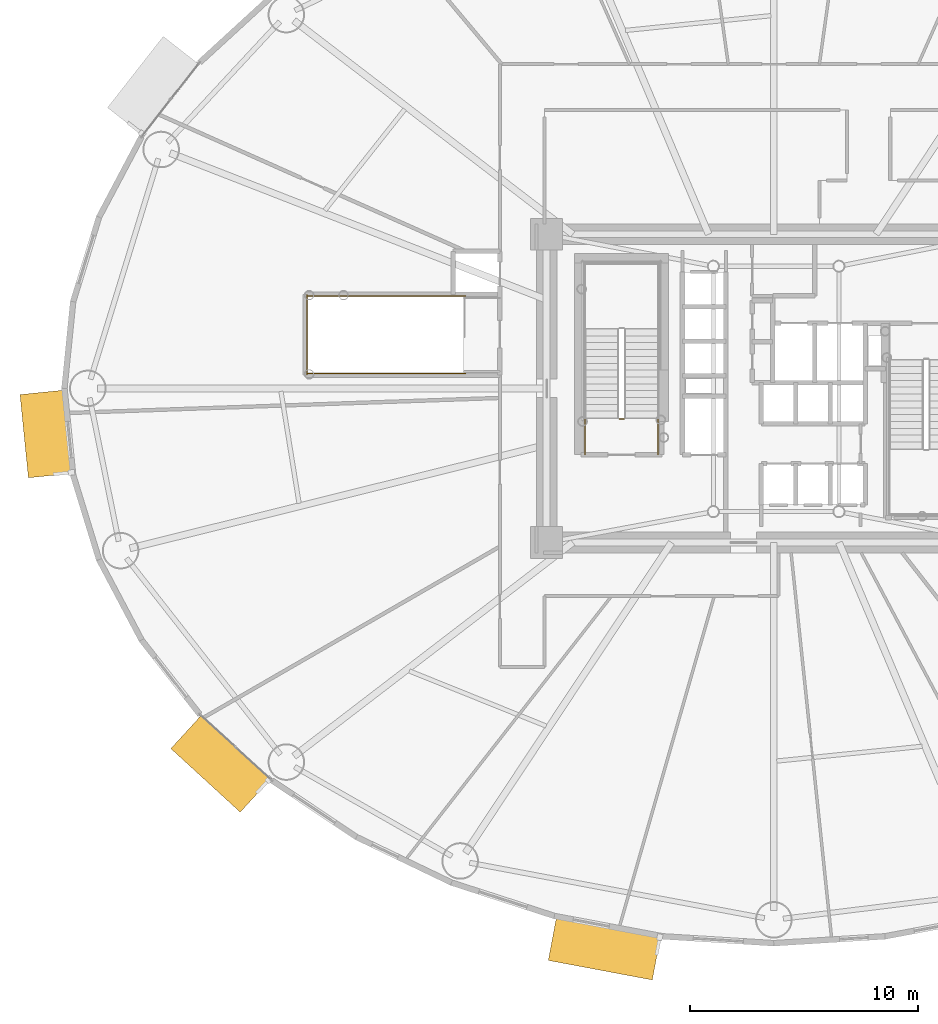
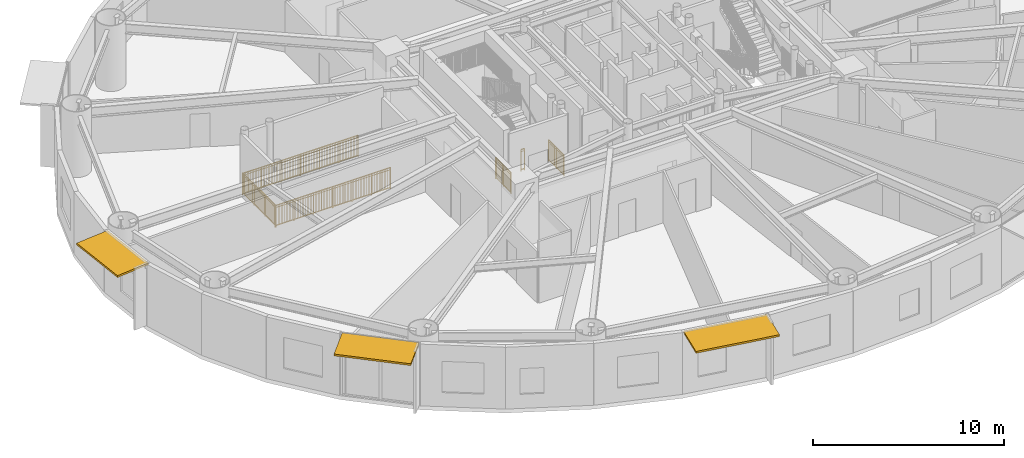
# One storey, part 21 of 28: 6 railings, 3 shading devices.
"""IFC4 building model written with IfcOpenShell, lengths in metres."""

from ifc_helpers import new_model, si_unit, direction, frame, origin, origin_2d, place, context, subcontext, project, spatial, rectangle, extrude, source, transform, mapped, material, layer, layer_set, type_object, element, save


model = new_model("IFC4")

# Units and contexts
model_context = context("Model", 3, precision=1e-05, world=origin(), true_north=direction((0.0, 1.0)))
body_context = subcontext(model_context, "Body", "Model", "MODEL_VIEW")
ifc_project = project(units=[si_unit("LENGTHUNIT", "METRE"), si_unit("AREAUNIT", "SQUARE_METRE"), si_unit("VOLUMEUNIT", "CUBIC_METRE"), si_unit("PLANEANGLEUNIT", "RADIAN"), si_unit("MASSUNIT", "GRAM", prefix="KILO")], contexts=[model_context])

# Site, building, storey
site_placement = place(None, origin())
site = spatial("IfcSite", under=ifc_project, at=site_placement, CompositionType="ELEMENT")
building_placement = place(site_placement, origin())
building = spatial("IfcBuilding", under=site, at=building_placement, Name="Linh Dai School and Residence Tower", CompositionType="ELEMENT")
storey_placement = place(building_placement, frame((0.0, 0.0, 57.60009765625)))
storey = spatial("IfcBuildingStorey", under=building, at=storey_placement, Name="L13", CompositionType="ELEMENT", Elevation=57.60009765625)

# Shading devices
ifc_material_1 = material(Name="Terracotta Ceramic Sunshade", Category="masonry")
ifc_layer = layer(ifc_material_1, 0.1201171875)
ifc_layer_set = layer_set([ifc_layer], Name="Terracotta Ceramic Sunshade")
shading_device_type = type_object("IfcShadingDeviceType", Name="SHD-TC-2000", PredefinedType="USERDEFINED", material=ifc_layer_set)
shared_shape_1 = source(origin(), body_context, "Body", "SweptSolid", [
    extrude(rectangle(XDim=3.663330078125, YDim=2.0, at=origin_2d()), origin(), (0.0, 0.0, 1.0), 0.1201171875),
])
shading_device_1_placement = place(storey_placement, frame((4.16064453125, 25.005615234375, 3.809814453125), z_axis=(0.0, 0.0, 1.0), x_axis=(-0.100009387998, 0.994986493533, 0.0)))
element("IfcShadingDevice", 1, at=shading_device_1_placement, inside=storey, type_object=shading_device_type, Name="L13 Terracotta Horizontal Sunshade Band 21", ObjectType="SUNSHADE", PredefinedType="USERDEFINED", context=body_context, shape_type="MappedRepresentation", body=[
    mapped(shared_shape_1, transform((0.0, 0.0, 0.0), x_axis=(1.0, 0.0, 0.0), y_axis=(0.0, 1.0, 0.0), z_axis=(0.0, 0.0, 1.0), scale=1.0)),
])
shared_shape_2 = source(origin(), body_context, "Body", "SweptSolid", [
    extrude(rectangle(XDim=4.1220703125, YDim=2.0, at=origin_2d()), origin(), (0.0, 0.0, 1.0), 0.1201171875),
])
shading_device_2_placement = place(storey_placement, frame((11.7841796875, 10.56689453125, 3.809814453125), z_axis=(0.0, 0.0, 1.0), x_axis=(-0.737113246362, 0.675769237268, 0.0)))
element("IfcShadingDevice", 2, at=shading_device_2_placement, inside=storey, type_object=shading_device_type, Name="L13 Terracotta Horizontal Sunshade Band 25", ObjectType="SUNSHADE", PredefinedType="USERDEFINED", context=body_context, shape_type="MappedRepresentation", body=[
    mapped(shared_shape_2, transform((0.0, 0.0, 0.0), x_axis=(1.0, 0.0, 0.0), y_axis=(0.0, 1.0, 0.0), z_axis=(0.0, 0.0, 1.0), scale=1.0)),
])
shared_shape_3 = source(origin(), body_context, "Body", "SweptSolid", [
    extrude(rectangle(XDim=4.635009765625, YDim=2.0, at=origin_2d()), origin(), (0.0, 0.0, 1.0), 0.1201171875),
])
shading_device_3_placement = place(storey_placement, frame((28.584716796875, 2.497314453125, 3.809814453125), z_axis=(0.0, 0.0, 1.0), x_axis=(-0.982785935675, 0.184747948944, 0.0)))
element("IfcShadingDevice", 3, at=shading_device_3_placement, inside=storey, type_object=shading_device_type, Name="L13 Terracotta Horizontal Sunshade Band 29", ObjectType="SUNSHADE", PredefinedType="USERDEFINED", context=body_context, shape_type="MappedRepresentation", body=[
    mapped(shared_shape_3, transform((0.0, 0.0, 0.0), x_axis=(1.0, 0.0, 0.0), y_axis=(0.0, 1.0, 0.0), z_axis=(0.0, 0.0, 1.0), scale=1.0)),
])

# Railings
ifc_material_2 = material(Name="Structural Steel S355JR", Category="steel")
railing_type = type_object("IfcRailingType", Name="RL-ST-GUARD-1400", PredefinedType="GUARDRAIL", material=ifc_material_2)
shared_shape_4 = source(origin(), body_context, "Body", "SweptSolid", [
    extrude(rectangle(XDim=0.048095703125, YDim=0.048095703125, at=origin_2d()), frame((0.0, 0.0, 1.3759765625), z_axis=(-1.0, 0.0, 0.0), x_axis=(0.0, -1.0, 0.0)), (0.0, 0.0, 1.0), 0.199951171875),
    extrude(rectangle(XDim=0.048095703125, YDim=0.048095703125, at=origin_2d()), frame((0.0, 0.0, 0.10009765625), z_axis=(-1.0, 0.0, 0.0), x_axis=(0.0, -1.0, 0.0)), (0.0, 0.0, 1.0), 0.199951171875),
    extrude(rectangle(XDim=0.030029296875, YDim=0.030029296875, at=origin_2d()), frame((0.0, 0.0, 1.239990234375), z_axis=(-1.0, 0.0, 0.0), x_axis=(0.0, -1.0, 0.0)), (0.0, 0.0, 1.0), 0.199951171875),
    extrude(rectangle(XDim=0.0419921875, YDim=0.0419921875, at=origin_2d()), origin(), (0.0, 0.0, 1.0), 1.3759765625),
    extrude(rectangle(XDim=0.0419921875, YDim=0.0419921875, at=origin_2d()), frame((-0.199951171875, 0.0, 0.0)), (0.0, 0.0, 1.0), 1.3759765625),
])
railing_1_placement = place(storey_placement, frame((29.429931640625, 25.64990234375, 0.0)))
element("IfcRailing", 4, at=railing_1_placement, inside=storey, type_object=railing_type, Name="L13 ST1 stair guard 7", PredefinedType="GUARDRAIL", context=body_context, shape_type="MappedRepresentation", body=[
    mapped(shared_shape_4, transform((0.0, 0.0, 0.0), x_axis=(1.0, 0.0, 0.0), y_axis=(0.0, 1.0, 0.0), z_axis=(0.0, 0.0, 1.0), scale=1.0)),
])
shared_shape_5 = source(origin(), body_context, "Body", "SweptSolid", [
    extrude(rectangle(XDim=0.048095703125, YDim=0.048095703125, at=origin_2d()), frame((0.0, 0.0, 1.3759765625), z_axis=(0.0, 1.0, 0.0), x_axis=(-1.0, 0.0, 0.0)), (0.0, 0.0, 1.0), 1.599853515625),
    extrude(rectangle(XDim=0.048095703125, YDim=0.048095703125, at=origin_2d()), frame((0.0, 0.0, 0.10009765625), z_axis=(0.0, 1.0, 0.0), x_axis=(-1.0, 0.0, 0.0)), (0.0, 0.0, 1.0), 1.599853515625),
    extrude(rectangle(XDim=0.030029296875, YDim=0.030029296875, at=origin_2d()), frame((0.0, 0.0, 1.239990234375), z_axis=(0.0, 1.0, 0.0), x_axis=(-1.0, 0.0, 0.0)), (0.0, 0.0, 1.0), 1.599853515625),
    extrude(rectangle(XDim=0.02001953125, YDim=0.02001953125, at=origin_2d()), frame((0.0, 0.093994140625, 0.10009765625)), (0.0, 0.0, 1.0), 1.251708984375),
    extrude(rectangle(XDim=0.02001953125, YDim=0.02001953125, at=origin_2d()), frame((0.0, 0.188232421875, 0.10009765625)), (0.0, 0.0, 1.0), 1.251708984375),
    extrude(rectangle(XDim=0.02001953125, YDim=0.02001953125, at=origin_2d()), frame((0.0, 0.2822265625, 0.10009765625)), (0.0, 0.0, 1.0), 1.251708984375),
    extrude(rectangle(XDim=0.02001953125, YDim=0.02001953125, at=origin_2d()), frame((0.0, 0.37646484375, 0.10009765625)), (0.0, 0.0, 1.0), 1.251708984375),
    extrude(rectangle(XDim=0.02001953125, YDim=0.02001953125, at=origin_2d()), frame((0.0, 0.470458984375, 0.10009765625)), (0.0, 0.0, 1.0), 1.251708984375),
    extrude(rectangle(XDim=0.02001953125, YDim=0.02001953125, at=origin_2d()), frame((0.0, 0.564697265625, 0.10009765625)), (0.0, 0.0, 1.0), 1.251708984375),
    extrude(rectangle(XDim=0.02001953125, YDim=0.02001953125, at=origin_2d()), frame((0.0, 0.65869140625, 0.10009765625)), (0.0, 0.0, 1.0), 1.251708984375),
    extrude(rectangle(XDim=0.02001953125, YDim=0.02001953125, at=origin_2d()), frame((0.0, 0.7529296875, 0.10009765625)), (0.0, 0.0, 1.0), 1.251708984375),
    extrude(rectangle(XDim=0.02001953125, YDim=0.02001953125, at=origin_2d()), frame((0.0, 0.846923828125, 0.10009765625)), (0.0, 0.0, 1.0), 1.251708984375),
    extrude(rectangle(XDim=0.02001953125, YDim=0.02001953125, at=origin_2d()), frame((0.0, 0.941162109375, 0.10009765625)), (0.0, 0.0, 1.0), 1.251708984375),
    extrude(rectangle(XDim=0.02001953125, YDim=0.02001953125, at=origin_2d()), frame((0.0, 1.03515625, 0.10009765625)), (0.0, 0.0, 1.0), 1.251708984375),
    extrude(rectangle(XDim=0.02001953125, YDim=0.02001953125, at=origin_2d()), frame((0.0, 1.12939453125, 0.10009765625)), (0.0, 0.0, 1.0), 1.251708984375),
    extrude(rectangle(XDim=0.02001953125, YDim=0.02001953125, at=origin_2d()), frame((0.0, 1.223388671875, 0.10009765625)), (0.0, 0.0, 1.0), 1.251708984375),
    extrude(rectangle(XDim=0.02001953125, YDim=0.02001953125, at=origin_2d()), frame((0.0, 1.317626953125, 0.10009765625)), (0.0, 0.0, 1.0), 1.251708984375),
    extrude(rectangle(XDim=0.02001953125, YDim=0.02001953125, at=origin_2d()), frame((0.0, 1.41162109375, 0.10009765625)), (0.0, 0.0, 1.0), 1.251708984375),
    extrude(rectangle(XDim=0.02001953125, YDim=0.02001953125, at=origin_2d()), frame((0.0, 1.505859375, 0.10009765625)), (0.0, 0.0, 1.0), 1.251708984375),
    extrude(rectangle(XDim=0.0419921875, YDim=0.0419921875, at=origin_2d()), origin(), (0.0, 0.0, 1.0), 1.3759765625),
    extrude(rectangle(XDim=0.0419921875, YDim=0.0419921875, at=origin_2d()), frame((0.0, 0.7998046875, 0.0)), (0.0, 0.0, 1.0), 1.3759765625),
    extrude(rectangle(XDim=0.0419921875, YDim=0.0419921875, at=origin_2d()), frame((0.0, 1.599853515625, 0.0)), (0.0, 0.0, 1.0), 1.3759765625),
])
for number, where, name in (
    (5, (30.929931640625, 24.10009765625, 0.0), "L13 ST1 stair guard 8"),
    (6, (27.72998046875, 24.10009765625, 0.0), "L13 ST1 stair guard 9"),
):
    element("IfcRailing", number, at=place(storey_placement, frame(where)), inside=storey, type_object=railing_type, Name=name, PredefinedType="GUARDRAIL", context=body_context, shape_type="MappedRepresentation", body=[
        mapped(shared_shape_5, transform((0.0, 0.0, 0.0), x_axis=(1.0, 0.0, 0.0), y_axis=(0.0, 1.0, 0.0), z_axis=(0.0, 0.0, 1.0), scale=1.0)),
    ])
shared_shape_6 = source(origin(), body_context, "Body", "SweptSolid", [
    extrude(rectangle(XDim=0.048095703125, YDim=0.048095703125, at=origin_2d()), frame((0.0, 0.0, 1.3759765625), z_axis=(-1.0, 0.0, 0.0), x_axis=(0.0, -1.0, 0.0)), (0.0, 0.0, 1.0), 7.0),
    extrude(rectangle(XDim=0.048095703125, YDim=0.048095703125, at=origin_2d()), frame((0.0, 0.0, 0.10009765625), z_axis=(-1.0, 0.0, 0.0), x_axis=(0.0, -1.0, 0.0)), (0.0, 0.0, 1.0), 7.0),
    extrude(rectangle(XDim=0.030029296875, YDim=0.030029296875, at=origin_2d()), frame((0.0, 0.0, 1.239990234375), z_axis=(-1.0, 0.0, 0.0), x_axis=(0.0, -1.0, 0.0)), (0.0, 0.0, 1.0), 7.0),
    extrude(rectangle(XDim=0.02001953125, YDim=0.02001953125, at=origin_2d()), frame((-0.09716796875, 0.0, 0.10009765625)), (0.0, 0.0, 1.0), 1.251708984375),
    extrude(rectangle(XDim=0.02001953125, YDim=0.02001953125, at=origin_2d()), frame((-0.1943359375, 0.0, 0.10009765625)), (0.0, 0.0, 1.0), 1.251708984375),
    extrude(rectangle(XDim=0.02001953125, YDim=0.02001953125, at=origin_2d()), frame((-0.291748046875, 0.0, 0.10009765625)), (0.0, 0.0, 1.0), 1.251708984375),
    extrude(rectangle(XDim=0.02001953125, YDim=0.02001953125, at=origin_2d()), frame((-0.388916015625, 0.0, 0.10009765625)), (0.0, 0.0, 1.0), 1.251708984375),
    extrude(rectangle(XDim=0.02001953125, YDim=0.02001953125, at=origin_2d()), frame((-0.486083984375, 0.0, 0.10009765625)), (0.0, 0.0, 1.0), 1.251708984375),
    extrude(rectangle(XDim=0.02001953125, YDim=0.02001953125, at=origin_2d()), frame((-0.583251953125, 0.0, 0.10009765625)), (0.0, 0.0, 1.0), 1.251708984375),
    extrude(rectangle(XDim=0.02001953125, YDim=0.02001953125, at=origin_2d()), frame((-0.6806640625, 0.0, 0.10009765625)), (0.0, 0.0, 1.0), 1.251708984375),
    extrude(rectangle(XDim=0.02001953125, YDim=0.02001953125, at=origin_2d()), frame((-0.77783203125, 0.0, 0.10009765625)), (0.0, 0.0, 1.0), 1.251708984375),
    extrude(rectangle(XDim=0.02001953125, YDim=0.02001953125, at=origin_2d()), frame((-0.875, 0.0, 0.10009765625)), (0.0, 0.0, 1.0), 1.251708984375),
    extrude(rectangle(XDim=0.02001953125, YDim=0.02001953125, at=origin_2d()), frame((-0.97216796875, 0.0, 0.10009765625)), (0.0, 0.0, 1.0), 1.251708984375),
    extrude(rectangle(XDim=0.02001953125, YDim=0.02001953125, at=origin_2d()), frame((-1.0693359375, 0.0, 0.10009765625)), (0.0, 0.0, 1.0), 1.251708984375),
    extrude(rectangle(XDim=0.02001953125, YDim=0.02001953125, at=origin_2d()), frame((-1.263916015625, 0.0, 0.10009765625)), (0.0, 0.0, 1.0), 1.251708984375),
    extrude(rectangle(XDim=0.02001953125, YDim=0.02001953125, at=origin_2d()), frame((-1.361083984375, 0.0, 0.10009765625)), (0.0, 0.0, 1.0), 1.251708984375),
    extrude(rectangle(XDim=0.02001953125, YDim=0.02001953125, at=origin_2d()), frame((-1.458251953125, 0.0, 0.10009765625)), (0.0, 0.0, 1.0), 1.251708984375),
    extrude(rectangle(XDim=0.02001953125, YDim=0.02001953125, at=origin_2d()), frame((-1.5556640625, 0.0, 0.10009765625)), (0.0, 0.0, 1.0), 1.251708984375),
    extrude(rectangle(XDim=0.02001953125, YDim=0.02001953125, at=origin_2d()), frame((-1.65283203125, 0.0, 0.10009765625)), (0.0, 0.0, 1.0), 1.251708984375),
    extrude(rectangle(XDim=0.02001953125, YDim=0.02001953125, at=origin_2d()), frame((-1.75, 0.0, 0.10009765625)), (0.0, 0.0, 1.0), 1.251708984375),
    extrude(rectangle(XDim=0.02001953125, YDim=0.02001953125, at=origin_2d()), frame((-1.84716796875, 0.0, 0.10009765625)), (0.0, 0.0, 1.0), 1.251708984375),
    extrude(rectangle(XDim=0.02001953125, YDim=0.02001953125, at=origin_2d()), frame((-1.9443359375, 0.0, 0.10009765625)), (0.0, 0.0, 1.0), 1.251708984375),
    extrude(rectangle(XDim=0.02001953125, YDim=0.02001953125, at=origin_2d()), frame((-2.041748046875, 0.0, 0.10009765625)), (0.0, 0.0, 1.0), 1.251708984375),
    extrude(rectangle(XDim=0.02001953125, YDim=0.02001953125, at=origin_2d()), frame((-2.138916015625, 0.0, 0.10009765625)), (0.0, 0.0, 1.0), 1.251708984375),
    extrude(rectangle(XDim=0.02001953125, YDim=0.02001953125, at=origin_2d()), frame((-2.236083984375, 0.0, 0.10009765625)), (0.0, 0.0, 1.0), 1.251708984375),
    extrude(rectangle(XDim=0.02001953125, YDim=0.02001953125, at=origin_2d()), frame((-2.4306640625, 0.0, 0.10009765625)), (0.0, 0.0, 1.0), 1.251708984375),
    extrude(rectangle(XDim=0.02001953125, YDim=0.02001953125, at=origin_2d()), frame((-2.52783203125, 0.0, 0.10009765625)), (0.0, 0.0, 1.0), 1.251708984375),
    extrude(rectangle(XDim=0.02001953125, YDim=0.02001953125, at=origin_2d()), frame((-2.625, 0.0, 0.10009765625)), (0.0, 0.0, 1.0), 1.251708984375),
    extrude(rectangle(XDim=0.02001953125, YDim=0.02001953125, at=origin_2d()), frame((-2.72216796875, 0.0, 0.10009765625)), (0.0, 0.0, 1.0), 1.251708984375),
    extrude(rectangle(XDim=0.02001953125, YDim=0.02001953125, at=origin_2d()), frame((-2.8193359375, 0.0, 0.10009765625)), (0.0, 0.0, 1.0), 1.251708984375),
    extrude(rectangle(XDim=0.02001953125, YDim=0.02001953125, at=origin_2d()), frame((-2.916748046875, 0.0, 0.10009765625)), (0.0, 0.0, 1.0), 1.251708984375),
    extrude(rectangle(XDim=0.02001953125, YDim=0.02001953125, at=origin_2d()), frame((-3.013916015625, 0.0, 0.10009765625)), (0.0, 0.0, 1.0), 1.251708984375),
    extrude(rectangle(XDim=0.02001953125, YDim=0.02001953125, at=origin_2d()), frame((-3.111083984375, 0.0, 0.10009765625)), (0.0, 0.0, 1.0), 1.251708984375),
    extrude(rectangle(XDim=0.02001953125, YDim=0.02001953125, at=origin_2d()), frame((-3.208251953125, 0.0, 0.10009765625)), (0.0, 0.0, 1.0), 1.251708984375),
    extrude(rectangle(XDim=0.02001953125, YDim=0.02001953125, at=origin_2d()), frame((-3.3056640625, 0.0, 0.10009765625)), (0.0, 0.0, 1.0), 1.251708984375),
    extrude(rectangle(XDim=0.02001953125, YDim=0.02001953125, at=origin_2d()), frame((-3.40283203125, 0.0, 0.10009765625)), (0.0, 0.0, 1.0), 1.251708984375),
    extrude(rectangle(XDim=0.02001953125, YDim=0.02001953125, at=origin_2d()), frame((-3.59716796875, 0.0, 0.10009765625)), (0.0, 0.0, 1.0), 1.251708984375),
    extrude(rectangle(XDim=0.02001953125, YDim=0.02001953125, at=origin_2d()), frame((-3.6943359375, 0.0, 0.10009765625)), (0.0, 0.0, 1.0), 1.251708984375),
    extrude(rectangle(XDim=0.02001953125, YDim=0.02001953125, at=origin_2d()), frame((-3.791748046875, 0.0, 0.10009765625)), (0.0, 0.0, 1.0), 1.251708984375),
    extrude(rectangle(XDim=0.02001953125, YDim=0.02001953125, at=origin_2d()), frame((-3.888916015625, 0.0, 0.10009765625)), (0.0, 0.0, 1.0), 1.251708984375),
    extrude(rectangle(XDim=0.02001953125, YDim=0.02001953125, at=origin_2d()), frame((-3.986083984375, 0.0, 0.10009765625)), (0.0, 0.0, 1.0), 1.251708984375),
    extrude(rectangle(XDim=0.02001953125, YDim=0.02001953125, at=origin_2d()), frame((-4.083251953125, 0.0, 0.10009765625)), (0.0, 0.0, 1.0), 1.251708984375),
    extrude(rectangle(XDim=0.02001953125, YDim=0.02001953125, at=origin_2d()), frame((-4.1806640625, 0.0, 0.10009765625)), (0.0, 0.0, 1.0), 1.251708984375),
    extrude(rectangle(XDim=0.02001953125, YDim=0.02001953125, at=origin_2d()), frame((-4.27783203125, 0.0, 0.10009765625)), (0.0, 0.0, 1.0), 1.251708984375),
    extrude(rectangle(XDim=0.02001953125, YDim=0.02001953125, at=origin_2d()), frame((-4.375, 0.0, 0.10009765625)), (0.0, 0.0, 1.0), 1.251708984375),
    extrude(rectangle(XDim=0.02001953125, YDim=0.02001953125, at=origin_2d()), frame((-4.47216796875, 0.0, 0.10009765625)), (0.0, 0.0, 1.0), 1.251708984375),
    extrude(rectangle(XDim=0.02001953125, YDim=0.02001953125, at=origin_2d()), frame((-4.5693359375, 0.0, 0.10009765625)), (0.0, 0.0, 1.0), 1.251708984375),
    extrude(rectangle(XDim=0.02001953125, YDim=0.02001953125, at=origin_2d()), frame((-4.763916015625, 0.0, 0.10009765625)), (0.0, 0.0, 1.0), 1.251708984375),
    extrude(rectangle(XDim=0.02001953125, YDim=0.02001953125, at=origin_2d()), frame((-4.861083984375, 0.0, 0.10009765625)), (0.0, 0.0, 1.0), 1.251708984375),
    extrude(rectangle(XDim=0.02001953125, YDim=0.02001953125, at=origin_2d()), frame((-4.958251953125, 0.0, 0.10009765625)), (0.0, 0.0, 1.0), 1.251708984375),
    extrude(rectangle(XDim=0.02001953125, YDim=0.02001953125, at=origin_2d()), frame((-5.0556640625, 0.0, 0.10009765625)), (0.0, 0.0, 1.0), 1.251708984375),
    extrude(rectangle(XDim=0.02001953125, YDim=0.02001953125, at=origin_2d()), frame((-5.15283203125, 0.0, 0.10009765625)), (0.0, 0.0, 1.0), 1.251708984375),
    extrude(rectangle(XDim=0.02001953125, YDim=0.02001953125, at=origin_2d()), frame((-5.25, 0.0, 0.10009765625)), (0.0, 0.0, 1.0), 1.251708984375),
    extrude(rectangle(XDim=0.02001953125, YDim=0.02001953125, at=origin_2d()), frame((-5.34716796875, 0.0, 0.10009765625)), (0.0, 0.0, 1.0), 1.251708984375),
    extrude(rectangle(XDim=0.02001953125, YDim=0.02001953125, at=origin_2d()), frame((-5.4443359375, 0.0, 0.10009765625)), (0.0, 0.0, 1.0), 1.251708984375),
    extrude(rectangle(XDim=0.02001953125, YDim=0.02001953125, at=origin_2d()), frame((-5.541748046875, 0.0, 0.10009765625)), (0.0, 0.0, 1.0), 1.251708984375),
    extrude(rectangle(XDim=0.02001953125, YDim=0.02001953125, at=origin_2d()), frame((-5.638916015625, 0.0, 0.10009765625)), (0.0, 0.0, 1.0), 1.251708984375),
    extrude(rectangle(XDim=0.02001953125, YDim=0.02001953125, at=origin_2d()), frame((-5.736083984375, 0.0, 0.10009765625)), (0.0, 0.0, 1.0), 1.251708984375),
    extrude(rectangle(XDim=0.02001953125, YDim=0.02001953125, at=origin_2d()), frame((-5.9306640625, 0.0, 0.10009765625)), (0.0, 0.0, 1.0), 1.251708984375),
    extrude(rectangle(XDim=0.02001953125, YDim=0.02001953125, at=origin_2d()), frame((-6.02783203125, 0.0, 0.10009765625)), (0.0, 0.0, 1.0), 1.251708984375),
    extrude(rectangle(XDim=0.02001953125, YDim=0.02001953125, at=origin_2d()), frame((-6.125, 0.0, 0.10009765625)), (0.0, 0.0, 1.0), 1.251708984375),
    extrude(rectangle(XDim=0.02001953125, YDim=0.02001953125, at=origin_2d()), frame((-6.22216796875, 0.0, 0.10009765625)), (0.0, 0.0, 1.0), 1.251708984375),
    extrude(rectangle(XDim=0.02001953125, YDim=0.02001953125, at=origin_2d()), frame((-6.3193359375, 0.0, 0.10009765625)), (0.0, 0.0, 1.0), 1.251708984375),
    extrude(rectangle(XDim=0.02001953125, YDim=0.02001953125, at=origin_2d()), frame((-6.416748046875, 0.0, 0.10009765625)), (0.0, 0.0, 1.0), 1.251708984375),
    extrude(rectangle(XDim=0.02001953125, YDim=0.02001953125, at=origin_2d()), frame((-6.513916015625, 0.0, 0.10009765625)), (0.0, 0.0, 1.0), 1.251708984375),
    extrude(rectangle(XDim=0.02001953125, YDim=0.02001953125, at=origin_2d()), frame((-6.611083984375, 0.0, 0.10009765625)), (0.0, 0.0, 1.0), 1.251708984375),
    extrude(rectangle(XDim=0.02001953125, YDim=0.02001953125, at=origin_2d()), frame((-6.708251953125, 0.0, 0.10009765625)), (0.0, 0.0, 1.0), 1.251708984375),
    extrude(rectangle(XDim=0.02001953125, YDim=0.02001953125, at=origin_2d()), frame((-6.8056640625, 0.0, 0.10009765625)), (0.0, 0.0, 1.0), 1.251708984375),
    extrude(rectangle(XDim=0.02001953125, YDim=0.02001953125, at=origin_2d()), frame((-6.90283203125, 0.0, 0.10009765625)), (0.0, 0.0, 1.0), 1.251708984375),
    extrude(rectangle(XDim=0.0419921875, YDim=0.0419921875, at=origin_2d()), origin(), (0.0, 0.0, 1.0), 1.3759765625),
    extrude(rectangle(XDim=0.0419921875, YDim=0.0419921875, at=origin_2d()), frame((-1.166748046875, 0.0, 0.0)), (0.0, 0.0, 1.0), 1.3759765625),
    extrude(rectangle(XDim=0.0419921875, YDim=0.0419921875, at=origin_2d()), frame((-2.333251953125, 0.0, 0.0)), (0.0, 0.0, 1.0), 1.3759765625),
    extrude(rectangle(XDim=0.0419921875, YDim=0.0419921875, at=origin_2d()), frame((-3.5, 0.0, 0.0)), (0.0, 0.0, 1.0), 1.3759765625),
    extrude(rectangle(XDim=0.0419921875, YDim=0.0419921875, at=origin_2d()), frame((-4.666748046875, 0.0, 0.0)), (0.0, 0.0, 1.0), 1.3759765625),
    extrude(rectangle(XDim=0.0419921875, YDim=0.0419921875, at=origin_2d()), frame((-5.833251953125, 0.0, 0.0)), (0.0, 0.0, 1.0), 1.3759765625),
    extrude(rectangle(XDim=0.0419921875, YDim=0.0419921875, at=origin_2d()), frame((-7.0, 0.0, 0.0)), (0.0, 0.0, 1.0), 1.3759765625),
])
for number, where, name in (
    (7, (22.5, 31.050048828125, 0.0), "L13 STS1 top well guard 2"),
    (8, (22.5, 27.64990234375, 0.0), "L13 STS1 top well guard 3"),
):
    element("IfcRailing", number, at=place(storey_placement, frame(where)), inside=storey, type_object=railing_type, Name=name, PredefinedType="GUARDRAIL", context=body_context, shape_type="MappedRepresentation", body=[
        mapped(shared_shape_6, transform((0.0, 0.0, 0.0), x_axis=(1.0, 0.0, 0.0), y_axis=(0.0, 1.0, 0.0), z_axis=(0.0, 0.0, 1.0), scale=1.0)),
    ])
shared_shape_7 = source(origin(), body_context, "Body", "SweptSolid", [
    extrude(rectangle(XDim=0.048095703125, YDim=0.048095703125, at=origin_2d()), frame((0.0, 0.0, 1.3759765625), z_axis=(0.0, -1.0, 0.0), x_axis=(1.0, 0.0, 0.0)), (0.0, 0.0, 1.0), 3.5),
    extrude(rectangle(XDim=0.048095703125, YDim=0.048095703125, at=origin_2d()), frame((0.0, 0.0, 0.10009765625), z_axis=(0.0, -1.0, 0.0), x_axis=(1.0, 0.0, 0.0)), (0.0, 0.0, 1.0), 3.5),
    extrude(rectangle(XDim=0.030029296875, YDim=0.030029296875, at=origin_2d()), frame((0.0, 0.0, 1.239990234375), z_axis=(0.0, -1.0, 0.0), x_axis=(1.0, 0.0, 0.0)), (0.0, 0.0, 1.0), 3.5),
    extrude(rectangle(XDim=0.02001953125, YDim=0.02001953125, at=origin_2d()), frame((0.0, -0.09716796875, 0.10009765625)), (0.0, 0.0, 1.0), 1.251708984375),
    extrude(rectangle(XDim=0.02001953125, YDim=0.02001953125, at=origin_2d()), frame((0.0, -0.1943359375, 0.10009765625)), (0.0, 0.0, 1.0), 1.251708984375),
    extrude(rectangle(XDim=0.02001953125, YDim=0.02001953125, at=origin_2d()), frame((0.0, -0.291748046875, 0.10009765625)), (0.0, 0.0, 1.0), 1.251708984375),
    extrude(rectangle(XDim=0.02001953125, YDim=0.02001953125, at=origin_2d()), frame((0.0, -0.388916015625, 0.10009765625)), (0.0, 0.0, 1.0), 1.251708984375),
    extrude(rectangle(XDim=0.02001953125, YDim=0.02001953125, at=origin_2d()), frame((0.0, -0.486083984375, 0.10009765625)), (0.0, 0.0, 1.0), 1.251708984375),
    extrude(rectangle(XDim=0.02001953125, YDim=0.02001953125, at=origin_2d()), frame((0.0, -0.583251953125, 0.10009765625)), (0.0, 0.0, 1.0), 1.251708984375),
    extrude(rectangle(XDim=0.02001953125, YDim=0.02001953125, at=origin_2d()), frame((0.0, -0.6806640625, 0.10009765625)), (0.0, 0.0, 1.0), 1.251708984375),
    extrude(rectangle(XDim=0.02001953125, YDim=0.02001953125, at=origin_2d()), frame((0.0, -0.77783203125, 0.10009765625)), (0.0, 0.0, 1.0), 1.251708984375),
    extrude(rectangle(XDim=0.02001953125, YDim=0.02001953125, at=origin_2d()), frame((0.0, -0.875, 0.10009765625)), (0.0, 0.0, 1.0), 1.251708984375),
    extrude(rectangle(XDim=0.02001953125, YDim=0.02001953125, at=origin_2d()), frame((0.0, -0.97216796875, 0.10009765625)), (0.0, 0.0, 1.0), 1.251708984375),
    extrude(rectangle(XDim=0.02001953125, YDim=0.02001953125, at=origin_2d()), frame((0.0, -1.0693359375, 0.10009765625)), (0.0, 0.0, 1.0), 1.251708984375),
    extrude(rectangle(XDim=0.02001953125, YDim=0.02001953125, at=origin_2d()), frame((0.0, -1.263916015625, 0.10009765625)), (0.0, 0.0, 1.0), 1.251708984375),
    extrude(rectangle(XDim=0.02001953125, YDim=0.02001953125, at=origin_2d()), frame((0.0, -1.361083984375, 0.10009765625)), (0.0, 0.0, 1.0), 1.251708984375),
    extrude(rectangle(XDim=0.02001953125, YDim=0.02001953125, at=origin_2d()), frame((0.0, -1.458251953125, 0.10009765625)), (0.0, 0.0, 1.0), 1.251708984375),
    extrude(rectangle(XDim=0.02001953125, YDim=0.02001953125, at=origin_2d()), frame((0.0, -1.5556640625, 0.10009765625)), (0.0, 0.0, 1.0), 1.251708984375),
    extrude(rectangle(XDim=0.02001953125, YDim=0.02001953125, at=origin_2d()), frame((0.0, -1.65283203125, 0.10009765625)), (0.0, 0.0, 1.0), 1.251708984375),
    extrude(rectangle(XDim=0.02001953125, YDim=0.02001953125, at=origin_2d()), frame((0.0, -1.75, 0.10009765625)), (0.0, 0.0, 1.0), 1.251708984375),
    extrude(rectangle(XDim=0.02001953125, YDim=0.02001953125, at=origin_2d()), frame((0.0, -1.84716796875, 0.10009765625)), (0.0, 0.0, 1.0), 1.251708984375),
    extrude(rectangle(XDim=0.02001953125, YDim=0.02001953125, at=origin_2d()), frame((0.0, -1.9443359375, 0.10009765625)), (0.0, 0.0, 1.0), 1.251708984375),
    extrude(rectangle(XDim=0.02001953125, YDim=0.02001953125, at=origin_2d()), frame((0.0, -2.041748046875, 0.10009765625)), (0.0, 0.0, 1.0), 1.251708984375),
    extrude(rectangle(XDim=0.02001953125, YDim=0.02001953125, at=origin_2d()), frame((0.0, -2.138916015625, 0.10009765625)), (0.0, 0.0, 1.0), 1.251708984375),
    extrude(rectangle(XDim=0.02001953125, YDim=0.02001953125, at=origin_2d()), frame((0.0, -2.236083984375, 0.10009765625)), (0.0, 0.0, 1.0), 1.251708984375),
    extrude(rectangle(XDim=0.02001953125, YDim=0.02001953125, at=origin_2d()), frame((0.0, -2.4306640625, 0.10009765625)), (0.0, 0.0, 1.0), 1.251708984375),
    extrude(rectangle(XDim=0.02001953125, YDim=0.02001953125, at=origin_2d()), frame((0.0, -2.52783203125, 0.10009765625)), (0.0, 0.0, 1.0), 1.251708984375),
    extrude(rectangle(XDim=0.02001953125, YDim=0.02001953125, at=origin_2d()), frame((0.0, -2.625, 0.10009765625)), (0.0, 0.0, 1.0), 1.251708984375),
    extrude(rectangle(XDim=0.02001953125, YDim=0.02001953125, at=origin_2d()), frame((0.0, -2.72216796875, 0.10009765625)), (0.0, 0.0, 1.0), 1.251708984375),
    extrude(rectangle(XDim=0.02001953125, YDim=0.02001953125, at=origin_2d()), frame((0.0, -2.8193359375, 0.10009765625)), (0.0, 0.0, 1.0), 1.251708984375),
    extrude(rectangle(XDim=0.02001953125, YDim=0.02001953125, at=origin_2d()), frame((0.0, -2.916748046875, 0.10009765625)), (0.0, 0.0, 1.0), 1.251708984375),
    extrude(rectangle(XDim=0.02001953125, YDim=0.02001953125, at=origin_2d()), frame((0.0, -3.013916015625, 0.10009765625)), (0.0, 0.0, 1.0), 1.251708984375),
    extrude(rectangle(XDim=0.02001953125, YDim=0.02001953125, at=origin_2d()), frame((0.0, -3.111083984375, 0.10009765625)), (0.0, 0.0, 1.0), 1.251708984375),
    extrude(rectangle(XDim=0.02001953125, YDim=0.02001953125, at=origin_2d()), frame((0.0, -3.208251953125, 0.10009765625)), (0.0, 0.0, 1.0), 1.251708984375),
    extrude(rectangle(XDim=0.02001953125, YDim=0.02001953125, at=origin_2d()), frame((0.0, -3.3056640625, 0.10009765625)), (0.0, 0.0, 1.0), 1.251708984375),
    extrude(rectangle(XDim=0.02001953125, YDim=0.02001953125, at=origin_2d()), frame((0.0, -3.40283203125, 0.10009765625)), (0.0, 0.0, 1.0), 1.251708984375),
    extrude(rectangle(XDim=0.0419921875, YDim=0.0419921875, at=origin_2d()), origin(), (0.0, 0.0, 1.0), 1.3759765625),
    extrude(rectangle(XDim=0.0419921875, YDim=0.0419921875, at=origin_2d()), frame((0.0, -1.166748046875, 0.0)), (0.0, 0.0, 1.0), 1.3759765625),
    extrude(rectangle(XDim=0.0419921875, YDim=0.0419921875, at=origin_2d()), frame((0.0, -2.333251953125, 0.0)), (0.0, 0.0, 1.0), 1.3759765625),
    extrude(rectangle(XDim=0.0419921875, YDim=0.0419921875, at=origin_2d()), frame((0.0, -3.5, 0.0)), (0.0, 0.0, 1.0), 1.3759765625),
])
railing_2_placement = place(storey_placement, frame((15.550048828125, 31.10009765625, 0.0)))
element("IfcRailing", 9, at=railing_2_placement, inside=storey, type_object=railing_type, Name="L13 STS1 top well guard 4", PredefinedType="GUARDRAIL", context=body_context, shape_type="MappedRepresentation", body=[
    mapped(shared_shape_7, transform((0.0, 0.0, 0.0), x_axis=(1.0, 0.0, 0.0), y_axis=(0.0, 1.0, 0.0), z_axis=(0.0, 0.0, 1.0), scale=1.0)),
])

save(model, "model.ifc")
